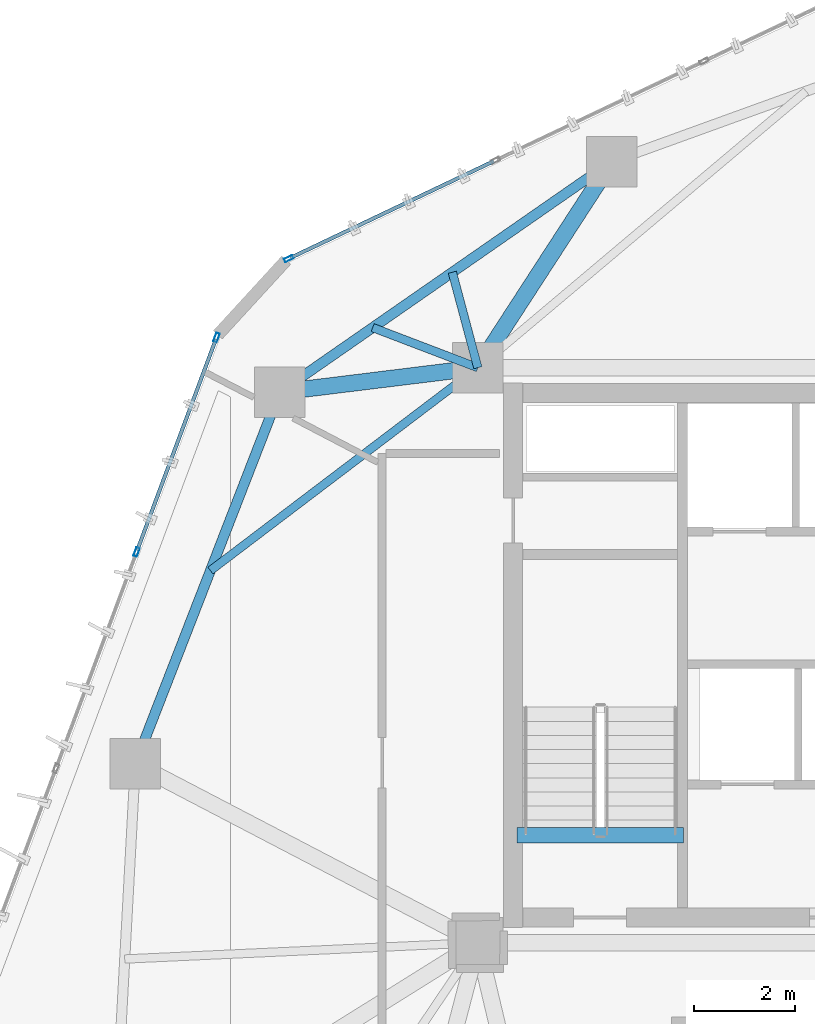
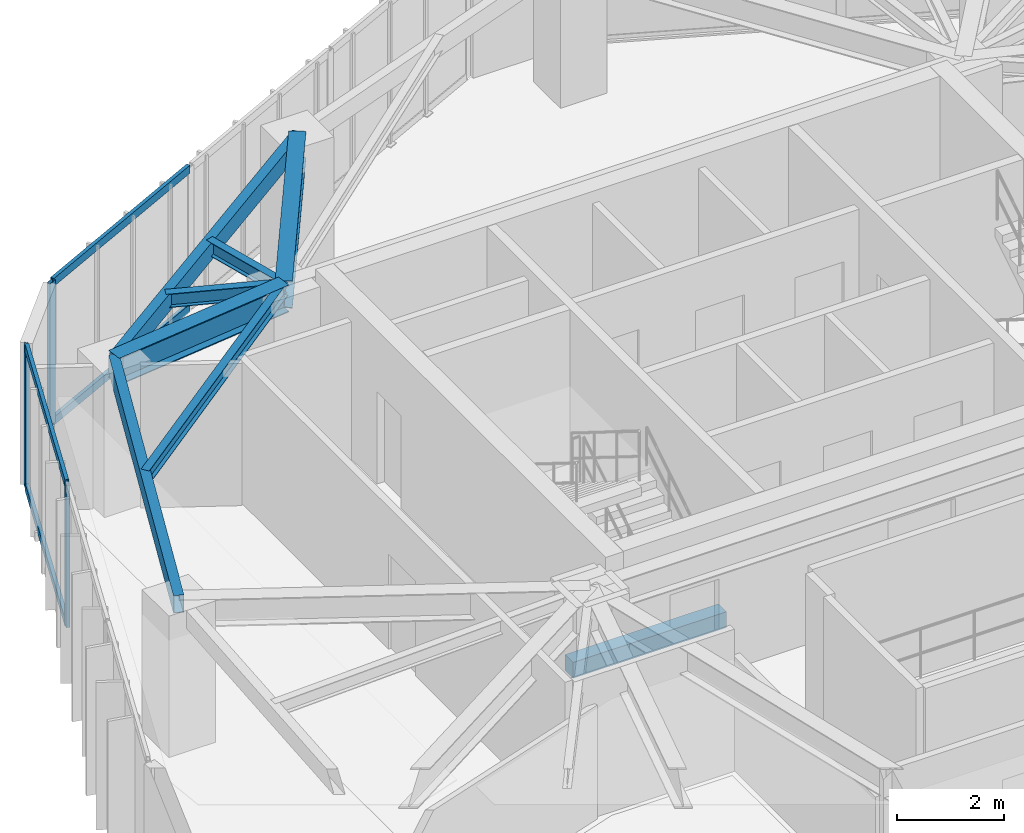
# One storey, part 9 of 18: 8 beams, 7 members, 2 elements without a shape of their own.
"""IFC4 building model written with IfcOpenShell, lengths in metres."""

from ifc_helpers import new_model, si_unit, direction, frame, origin, origin_2d, place, context, subcontext, project, spatial, rectangle, hollow_rectangle, i_section, extrude, source, transform, mapped, material, layer, layer_set, material_profile, profile_set, type_object, type_shapes, element, aggregate, save


model = new_model("IFC4")

# Units and contexts
model_context = context("Model", 3, precision=1e-05, world=origin(), true_north=direction((0.0, 1.0)))
body_context = subcontext(model_context, "Body", "Model", "MODEL_VIEW")
ifc_project = project(units=[si_unit("LENGTHUNIT", "METRE"), si_unit("AREAUNIT", "SQUARE_METRE"), si_unit("VOLUMEUNIT", "CUBIC_METRE"), si_unit("PLANEANGLEUNIT", "RADIAN"), si_unit("MASSUNIT", "GRAM", prefix="KILO")], contexts=[model_context])

# Site, building, storey
site_placement = place(None, origin())
site = spatial("IfcSite", under=ifc_project, at=site_placement, CompositionType="ELEMENT")
building_placement = place(site_placement, origin())
building = spatial("IfcBuilding", under=site, at=building_placement, Name="Talar Marvaseh", CompositionType="ELEMENT")
storey_placement = place(building_placement, frame((0.0, 0.0, 167.0)))
storey = spatial("IfcBuildingStorey", under=building, at=storey_placement, Name="L43", CompositionType="ELEMENT", Elevation=167.0)

# Beams
ifc_material_1 = material(Name="Concrete C40/50", Category="concrete")
ifc_material_profile_1 = material_profile(ifc_material_1, rectangle(XDim=0.300048828125, YDim=0.360107421875, at=origin_2d()), Name="RC300x360")
ifc_profile_set_1 = profile_set([ifc_material_profile_1], Name="Concrete C40/50")
beam_type_1 = type_object("IfcBeamType", Name="Concrete Stair Landing Trimmer Beam RC300x360", PredefinedType="SPANDREL", material=ifc_profile_set_1)
beam_1_placement = place(storey_placement, frame((22.780029296875, 27.6298828125, -0.179931640625), z_axis=(-1.0, 0.0, 0.0), x_axis=(0.0, -1.0, 0.0)))
element("IfcBeam", 1, at=beam_1_placement, inside=storey, type_object=beam_type_1, Name="L43 ST-1 Stair Nosing Trimmer Beam", PredefinedType="SPANDREL", context=body_context, shape_type="SweptSolid", body=[
    extrude(rectangle(XDim=0.300048828125, YDim=0.360107421875, at=origin_2d()), origin(), (0.0, 0.0, 1.0), 3.300048828125),
])
ifc_material_2 = material(Name="Steel S355", Category="steel")
ifc_material_profile_2 = material_profile(ifc_material_2, hollow_rectangle(XDim=0.199951171875, YDim=0.39990234375, WallThickness=0.013916015625, at=origin_2d()), Name="RHS400x200x14")
ifc_profile_set_2 = profile_set([ifc_material_profile_2], Name="Steel S355")
beam_type_2 = type_object("IfcBeamType", Name="Zone 3 Perimeter Spandrel Beam RHS400x200x14", PredefinedType="SPANDREL", material=ifc_profile_set_2)
beam_2_placement = place(storey_placement, frame((11.908935546875, 29.044921875, 3.030029296875), z_axis=(0.362169134611, 0.932112395548, 0.0), x_axis=(-0.932112395548, 0.362169134611, 0.0)))
element("IfcBeam", 2, at=beam_2_placement, inside=storey, type_object=beam_type_2, Name="L43 Zone 3 Perimeter Spandrel Beam RHS400x200x14", PredefinedType="SPANDREL", context=body_context, shape_type="SweptSolid", body=[
    extrude(hollow_rectangle(XDim=0.199951171875, YDim=0.39990234375, WallThickness=0.013916015625, at=origin_2d()), origin(), (0.0, 0.0, 1.0), 7.907958984375),
])
beam_3_placement = place(storey_placement, frame((14.77294921875, 36.416015625, 3.030029296875), z_axis=(0.821296978901, 0.570500896098, 0.0), x_axis=(-0.570500896098, 0.821296978901, 0.0)))
element("IfcBeam", 3, at=beam_3_placement, inside=storey, type_object=beam_type_2, Name="L43 Zone 3 Perimeter Spandrel Beam RHS400x200x14", PredefinedType="SPANDREL", context=body_context, shape_type="SweptSolid", body=[
    extrude(hollow_rectangle(XDim=0.199951171875, YDim=0.39990234375, WallThickness=0.013916015625, at=origin_2d()), origin(), (0.0, 0.0, 1.0), 8.0107421875),
])
ifc_material_profile_3 = material_profile(ifc_material_2, i_section(OverallWidth=0.324951171875, OverallDepth=0.615966796875, WebThickness=0.013916015625, FlangeThickness=0.021484375, at=origin_2d()), Name="W610x174")
ifc_profile_set_3 = profile_set([ifc_material_profile_3], Name="Steel S355")
beam_type_3 = type_object("IfcBeamType", Name="Zone 3 Radial Floor Girder W610x174", PredefinedType="BEAM", material=ifc_profile_set_3)
beam_4_placement = place(storey_placement, frame((14.77294921875, 36.416015625, 2.922119140625), z_axis=(0.99249373738, 0.122295467049, 0.0), x_axis=(-0.122295467049, 0.99249373738, 0.0)))
element("IfcBeam", 4, at=beam_4_placement, inside=storey, type_object=beam_type_3, Name="L43 Zone 3 Radial Floor Girder W610x174", PredefinedType="BEAM", context=body_context, shape_type="SweptSolid", body=[
    extrude(i_section(OverallWidth=0.324951171875, OverallDepth=0.615966796875, WebThickness=0.013916015625, FlangeThickness=0.021484375, at=origin_2d()), origin(), (0.0, 0.0, 1.0), 3.956787109375),
])
beam_5_placement = place(storey_placement, frame((21.35205078125, 40.986083984375, 2.922119140625), z_axis=(-0.544422757063, -0.838810980849, 0.0), x_axis=(0.838810980849, -0.544422757063, 0.0)))
element("IfcBeam", 5, at=beam_5_placement, inside=storey, type_object=beam_type_3, Name="L43 Zone 3 Radial Floor Girder W610x174", PredefinedType="BEAM", context=body_context, shape_type="SweptSolid", body=[
    extrude(i_section(OverallWidth=0.324951171875, OverallDepth=0.615966796875, WebThickness=0.013916015625, FlangeThickness=0.021484375, at=origin_2d()), origin(), (0.0, 0.0, 1.0), 4.871337890625),
])
ifc_material_profile_4 = material_profile(ifc_material_2, i_section(OverallWidth=0.166015625, OverallDepth=0.31298828125, WebThickness=0.006591796875, FlangeThickness=0.01123046875, at=origin_2d()), Name="W310x45")
ifc_profile_set_4 = profile_set([ifc_material_profile_4], Name="Steel S355")
beam_type_4 = type_object("IfcBeamType", Name="Zone 3 Secondary Floor Joist W310x45", PredefinedType="JOIST", material=ifc_profile_set_4)
beam_6_placement = place(storey_placement, frame((13.398193359375, 32.8779296875, 3.073486328125), z_axis=(0.796694925744, 0.604381663598, 0.0), x_axis=(-0.604381663598, 0.796694925744, 0.0)))
element("IfcBeam", 6, at=beam_6_placement, inside=storey, type_object=beam_type_4, Name="L43 Zone 3 Secondary Floor Joist W310x45", PredefinedType="JOIST", context=body_context, shape_type="SweptSolid", body=[
    extrude(i_section(OverallWidth=0.166015625, OverallDepth=0.31298828125, WebThickness=0.006591796875, FlangeThickness=0.01123046875, at=origin_2d()), origin(), (0.0, 0.0, 1.0), 6.65478515625),
])
beam_7_placement = place(storey_placement, frame((16.614990234375, 37.695556640625, 3.073486328125), z_axis=(0.934281341688, -0.356536638473, 0.0), x_axis=(0.356536638473, 0.934281341688, 0.0)))
element("IfcBeam", 7, at=beam_7_placement, inside=storey, type_object=beam_type_4, Name="L43 Zone 3 Secondary Floor Joist W310x45", PredefinedType="JOIST", context=body_context, shape_type="SweptSolid", body=[
    extrude(i_section(OverallWidth=0.166015625, OverallDepth=0.31298828125, WebThickness=0.006591796875, FlangeThickness=0.01123046875, at=origin_2d()), origin(), (0.0, 0.0, 1.0), 2.231689453125),
])
beam_8_placement = place(storey_placement, frame((18.194091796875, 38.79248046875, 3.073486328125), z_axis=(0.258221088864, -0.966085849842, 0.0), x_axis=(0.966085849842, 0.258221088864, 0.0)))
element("IfcBeam", 8, at=beam_8_placement, inside=storey, type_object=beam_type_4, Name="L43 Zone 3 Secondary Floor Joist W310x45", PredefinedType="JOIST", context=body_context, shape_type="SweptSolid", body=[
    extrude(i_section(OverallWidth=0.166015625, OverallDepth=0.31298828125, WebThickness=0.006591796875, FlangeThickness=0.01123046875, at=origin_2d()), origin(), (0.0, 0.0, 1.0), 1.958984375),
])

# Curtain wall, members
ifc_material_3 = material(Name="Architectural Aluminium", Category="aluminium")
ifc_layer = layer(ifc_material_3, 0.18994140625)
ifc_layer_set = layer_set([ifc_layer], Name="Architectural Aluminium")
curtain_wall_type = type_object("IfcCurtainWallType", Name="Unitised Solar Atelier Curtain Wall Z3", PredefinedType="NOTDEFINED", material=ifc_layer_set)
curtain_wall_1_placement = place(storey_placement, origin())
curtain_wall_1 = element("IfcCurtainWall", 9, at=curtain_wall_1_placement, inside=storey, type_object=curtain_wall_type, Name="L43 Unitised Solar Atelier Curtain Wall Z3", PredefinedType="NOTDEFINED")
ifc_material_profile_5 = material_profile(ifc_material_3, hollow_rectangle(XDim=0.074951171875, YDim=0.179931640625, WallThickness=0.0048828125, at=origin_2d()), Name="RHS180x75x5")
ifc_profile_set_5 = profile_set([ifc_material_profile_5], Name="Architectural Aluminium")
member_type_1 = type_object("IfcMemberType", Name="Unitised Curtain Wall Standard Mullion RHS180x75x5", PredefinedType="MULLION", material=ifc_profile_set_5)
shared_shape_1 = source(origin(), body_context, "Body", "SweptSolid", [
    extrude(hollow_rectangle(XDim=0.074951171875, YDim=0.179931640625, WallThickness=0.0048828125, at=origin_2d()), origin(), (0.0, 0.0, 1.0), 3.22998046875),
])
type_shapes(member_type_1, [shared_shape_1])
member_1_placement = place(storey_placement, frame((11.935302734375, 33.245361328125, 0.0), z_axis=(0.0, 0.0, 1.0), x_axis=(-0.937086552554, 0.349097111162, 0.0)))
member_1 = element("IfcMember", 10, at=member_1_placement, type_object=member_type_1, Name="CW-Z3 mullion 3", PredefinedType="MULLION", context=body_context, shape_type="MappedRepresentation", body=[
    mapped(shared_shape_1, transform((0.0, 0.0, 0.0), x_axis=(1.0, 0.0, 0.0), y_axis=(0.0, 1.0, 0.0), z_axis=(0.0, 0.0, 1.0), scale=1.0)),
])
member_2_placement = place(storey_placement, frame((13.520263671875, 37.49951171875, 0.0), z_axis=(0.0, 0.0, 1.0), x_axis=(-0.937086552554, 0.349097111162, 0.0)))
member_2 = element("IfcMember", 11, at=member_2_placement, type_object=member_type_1, Name="CW-Z3 mullion 4", PredefinedType="MULLION", context=body_context, shape_type="MappedRepresentation", body=[
    mapped(shared_shape_1, transform((0.0, 0.0, 0.0), x_axis=(1.0, 0.0, 0.0), y_axis=(0.0, 1.0, 0.0), z_axis=(0.0, 0.0, 1.0), scale=1.0)),
])

# Curtain wall, member
curtain_wall_2_placement = place(storey_placement, origin())
curtain_wall_2 = element("IfcCurtainWall", 12, at=curtain_wall_2_placement, inside=storey, type_object=curtain_wall_type, Name="L43 Unitised Solar Atelier Curtain Wall Z3", PredefinedType="NOTDEFINED")
member_3_placement = place(storey_placement, frame((14.950927734375, 39.060791015625, 0.0), z_axis=(0.0, 0.0, 1.0), x_axis=(-0.429444477717, 0.903093262381, 0.0)))
member_3 = element("IfcMember", 13, at=member_3_placement, type_object=member_type_1, Name="CW-Z3 mullion 1", PredefinedType="MULLION", context=body_context, shape_type="MappedRepresentation", body=[
    mapped(shared_shape_1, transform((0.0, 0.0, 0.0), x_axis=(1.0, 0.0, 0.0), y_axis=(0.0, 1.0, 0.0), z_axis=(0.0, 0.0, 1.0), scale=1.0)),
])

# Member
ifc_material_profile_6 = material_profile(ifc_material_3, hollow_rectangle(XDim=0.074951171875, YDim=0.179931640625, WallThickness=0.0048828125, at=origin_2d()), Name="RHS180x75x5")
ifc_profile_set_6 = profile_set([ifc_material_profile_6], Name="Architectural Aluminium")
member_type_2 = type_object("IfcMemberType", Name="Unitised Curtain Wall Transom RHS180x75x5", PredefinedType="USERDEFINED", material=ifc_profile_set_6)
shared_shape_2 = source(origin(), body_context, "Body", "SweptSolid", [
    extrude(hollow_rectangle(XDim=0.074951171875, YDim=0.179931640625, WallThickness=0.0048828125, at=origin_2d()), origin(), (0.0, 0.0, 1.0), 4.464599609375),
])
member_4_placement = place(storey_placement, frame((11.948486328125, 33.280517578125, 0.03759765625), z_axis=(0.349091134167, 0.93708877917, 0.0), x_axis=(-0.93708877917, 0.349091134167, 0.0)))
member_4 = element("IfcMember", 14, at=member_4_placement, type_object=member_type_2, Name="CW-Z3 transom 3.1", ObjectType="TRANSOM", PredefinedType="USERDEFINED", context=body_context, shape_type="MappedRepresentation", body=[
    mapped(shared_shape_2, transform((0.0, 0.0, 0.0), x_axis=(1.0, 0.0, 0.0), y_axis=(0.0, 1.0, 0.0), z_axis=(0.0, 0.0, 1.0), scale=1.0)),
])

member_5_placement = place(storey_placement, frame((11.948486328125, 33.280517578125, 3.1923828125), z_axis=(0.349091134167, 0.93708877917, 0.0), x_axis=(-0.93708877917, 0.349091134167, 0.0)))
member_5 = element("IfcMember", 15, at=member_5_placement, type_object=member_type_2, Name="CW-Z3 transom 3.2", ObjectType="TRANSOM", PredefinedType="USERDEFINED", context=body_context, shape_type="MappedRepresentation", body=[
    mapped(shared_shape_2, transform((0.0, 0.0, 0.0), x_axis=(1.0, 0.0, 0.0), y_axis=(0.0, 1.0, 0.0), z_axis=(0.0, 0.0, 1.0), scale=1.0)),
])

aggregate(curtain_wall_1, [member_1, member_2, member_4, member_5])

shared_shape_3 = source(origin(), body_context, "Body", "SweptSolid", [
    extrude(hollow_rectangle(XDim=0.074951171875, YDim=0.179931640625, WallThickness=0.0048828125, at=origin_2d()), origin(), (0.0, 0.0, 1.0), 4.46484375),
])
type_shapes(member_type_2, [shared_shape_2, shared_shape_3])
member_6_placement = place(storey_placement, frame((14.984619140625, 39.076904296875, 0.03759765625), z_axis=(0.903110018852, 0.429409238196, 0.0), x_axis=(-0.429409238196, 0.903110018852, 0.0)))
member_6 = element("IfcMember", 16, at=member_6_placement, type_object=member_type_2, Name="CW-Z3 transom 1.1", ObjectType="TRANSOM", PredefinedType="USERDEFINED", context=body_context, shape_type="MappedRepresentation", body=[
    mapped(shared_shape_3, transform((0.0, 0.0, 0.0), x_axis=(1.0, 0.0, 0.0), y_axis=(0.0, 1.0, 0.0), z_axis=(0.0, 0.0, 1.0), scale=1.0)),
])

member_7_placement = place(storey_placement, frame((14.984619140625, 39.076904296875, 3.1923828125), z_axis=(0.903110018852, 0.429409238196, 0.0), x_axis=(-0.429409238196, 0.903110018852, 0.0)))
member_7 = element("IfcMember", 17, at=member_7_placement, type_object=member_type_2, Name="CW-Z3 transom 1.2", ObjectType="TRANSOM", PredefinedType="USERDEFINED", context=body_context, shape_type="MappedRepresentation", body=[
    mapped(shared_shape_3, transform((0.0, 0.0, 0.0), x_axis=(1.0, 0.0, 0.0), y_axis=(0.0, 1.0, 0.0), z_axis=(0.0, 0.0, 1.0), scale=1.0)),
])

aggregate(curtain_wall_2, [member_3, member_6, member_7])

save(model, "model.ifc")
